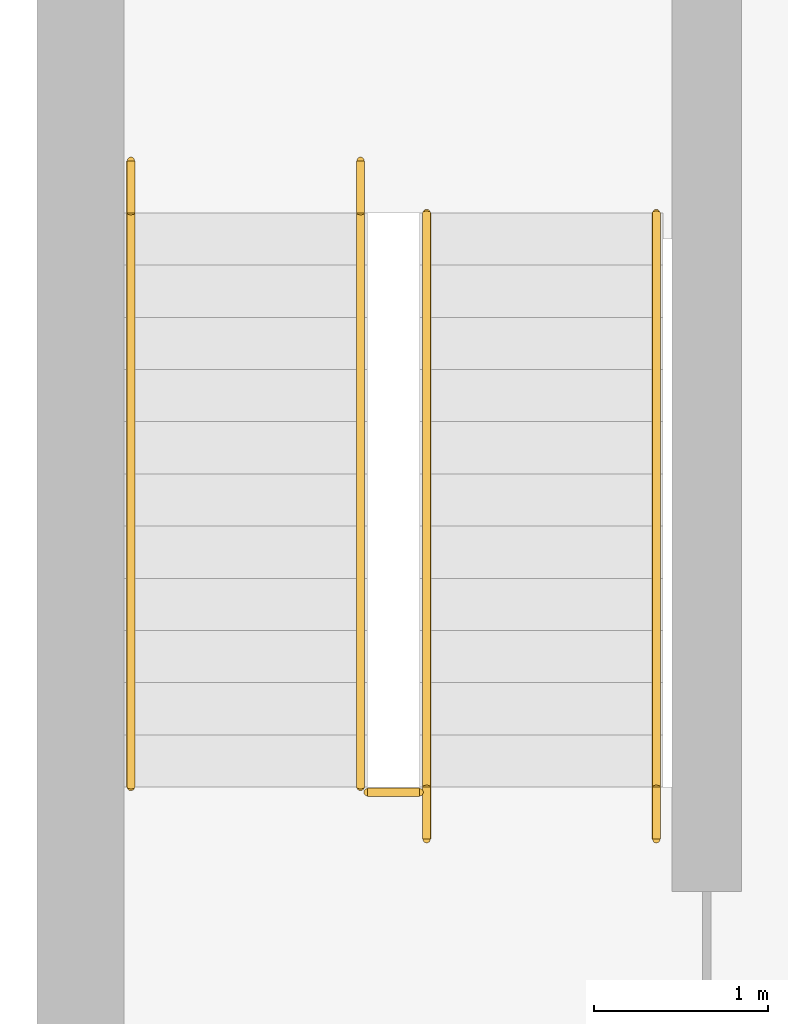
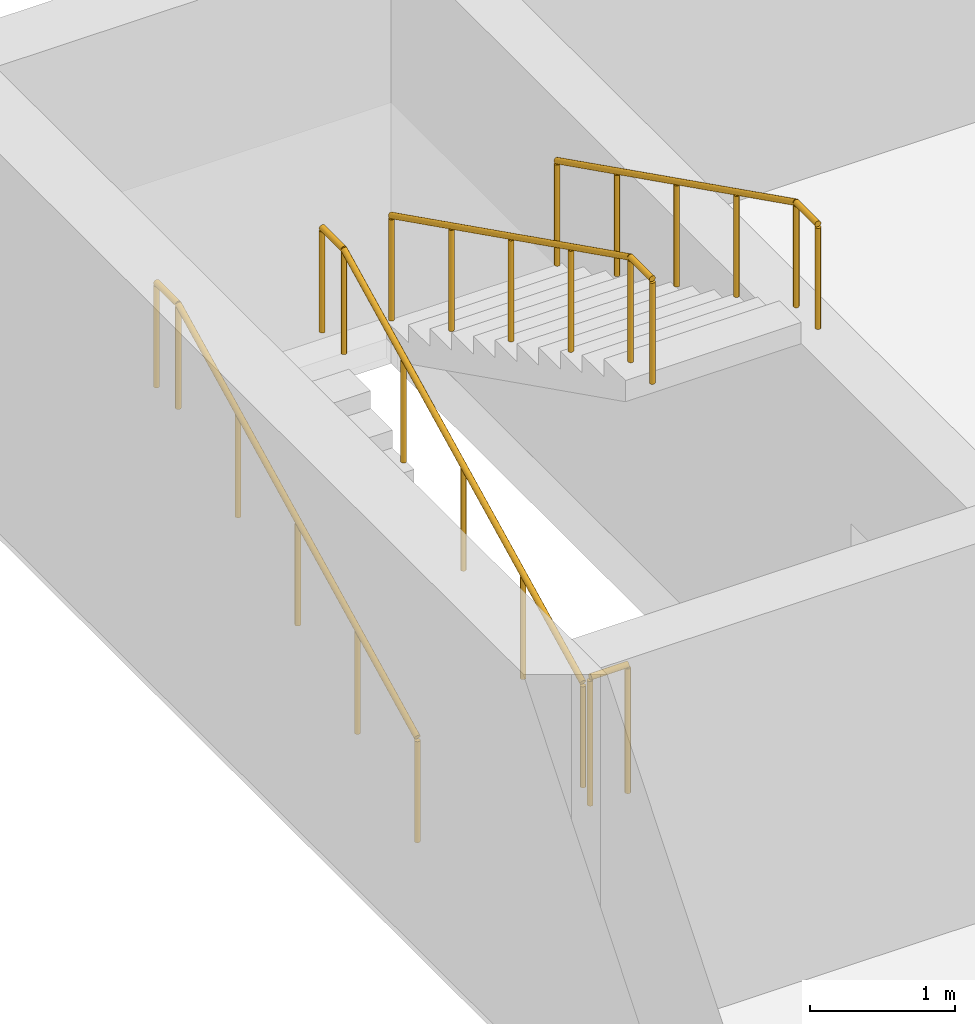
# One storey, part 8 of 12: 5 railings.
"""IFC4 building model written with IfcOpenShell, lengths in metres."""

from ifc_helpers import new_model, si_unit, direction, frame, origin, origin_2d, place, context, subcontext, project, spatial, circle, extrude, material, type_object, element, save


model = new_model("IFC4")

# Units and contexts
model_context = context("Model", 3, precision=1e-05, world=origin(), true_north=direction((0.0, 1.0)))
body_context = subcontext(model_context, "Body", "Model", "MODEL_VIEW")
ifc_project = project(units=[si_unit("LENGTHUNIT", "METRE"), si_unit("AREAUNIT", "SQUARE_METRE"), si_unit("VOLUMEUNIT", "CUBIC_METRE"), si_unit("PLANEANGLEUNIT", "RADIAN"), si_unit("MASSUNIT", "GRAM", prefix="KILO")], contexts=[model_context])

# Site, building, storey
site_placement = place(None, origin())
site = spatial("IfcSite", under=ifc_project, at=site_placement, CompositionType="ELEMENT")
building_placement = place(site_placement, origin())
building = spatial("IfcBuilding", under=site, at=building_placement, Name="Yavir Park General Hospital", CompositionType="ELEMENT")
storey_placement = place(building_placement, frame((0.0, 0.0, -11.39990234375)))
storey = spatial("IfcBuildingStorey", under=building, at=storey_placement, Name="B3", CompositionType="ELEMENT", Elevation=-11.39990234375)

# Railings
ifc_material_1 = material(Name="Steel balustrade with infill rods", Category="steel")
railing_type_1 = type_object("IfcRailingType", Name="Stair guard, steel balustrade 1100 mm", PredefinedType="GUARDRAIL", material=ifc_material_1)
railing_placement = place(storey_placement, frame((1.64990234375, 27.570068359375, 0.0)))
element("IfcRailing", 1, at=railing_placement, inside=storey, type_object=railing_type_1, Name="Stair well guard BS1 B3", PredefinedType="GUARDRAIL", context=body_context, shape_type="SweptSolid", body=[
    extrude(circle(Radius=0.02392578125, at=origin_2d()), frame((0.0, 0.0, 1.076171875), z_axis=(1.0, 0.0, 0.0), x_axis=(0.0, 1.0, 0.0)), (0.0, 0.0, 1.0), 0.300048828125),
    extrude(circle(Radius=0.02099609375, at=origin_2d()), origin(), (0.0, 0.0, 1.0), 1.052001953125),
    extrude(circle(Radius=0.02099609375, at=origin_2d()), frame((0.300048828125, 0.0, 0.0)), (0.0, 0.0, 1.0), 1.052001953125),
])
ifc_material_2 = material(Name="Stainless steel tube 48 mm", Category="steel")
railing_type_2 = type_object("IfcRailingType", Name="Stair handrail, steel tube, 900 mm above the nosings", PredefinedType="HANDRAIL", material=ifc_material_2)
for number, where, name in (
    (2, (0.2900390625, 27.60009765625, 0.14990234375), "Handrail BS1 B3 1"),
    (3, (1.610107421875, 27.60009765625, 0.14990234375), "Handrail BS1 B3 2"),
):
    element("IfcRailing", number, at=place(storey_placement, frame(where)), inside=storey, type_object=railing_type_2, Name=name, PredefinedType="HANDRAIL", context=body_context, shape_type="SweptSolid", body=[
        extrude(circle(Radius=0.02392578125, at=origin_2d()), frame((0.0, 0.0, 0.8759765625), z_axis=(0.0, 0.894427191, 0.4472135955), x_axis=(-1.0, 0.0, 0.0)), (0.0, 0.0, 1.0), 3.689208984375),
        extrude(circle(Radius=0.02392578125, at=origin_2d()), frame((0.0, 3.2998046875, 2.52587890625), z_axis=(0.0, 1.0, 0.0), x_axis=(-1.0, 0.0, 0.0)), (0.0, 0.0, 1.0), 0.300048828125),
        extrude(circle(Radius=0.02099609375, at=origin_2d()), origin(), (0.0, 0.0, 1.0), 0.851806640625),
        extrude(circle(Radius=0.02099609375, at=origin_2d()), frame((0.0, 0.824951171875, 0.41259765625)), (0.0, 0.0, 1.0), 0.851806640625),
        extrude(circle(Radius=0.02099609375, at=origin_2d()), frame((0.0, 1.64990234375, 0.824951171875)), (0.0, 0.0, 1.0), 0.851806640625),
        extrude(circle(Radius=0.02099609375, at=origin_2d()), frame((0.0, 2.474853515625, 1.2373046875)), (0.0, 0.0, 1.0), 0.851806640625),
        extrude(circle(Radius=0.02099609375, at=origin_2d()), frame((0.0, 3.2998046875, 1.64990234375)), (0.0, 0.0, 1.0), 0.851806640625),
        extrude(circle(Radius=0.02099609375, at=origin_2d()), frame((0.0, 3.599853515625, 1.64990234375)), (0.0, 0.0, 1.0), 0.851806640625),
    ])
for number, where, name in (
    (4, (3.31005859375, 30.89990234375, 1.949951171875), "Handrail BS1 B3 3"),
    (5, (1.989990234375, 30.89990234375, 1.949951171875), "Handrail BS1 B3 4"),
):
    element("IfcRailing", number, at=place(storey_placement, frame(where)), inside=storey, type_object=railing_type_2, Name=name, PredefinedType="HANDRAIL", context=body_context, shape_type="SweptSolid", body=[
        extrude(circle(Radius=0.02392578125, at=origin_2d()), frame((0.0, 0.0, 0.8759765625), z_axis=(0.0, -0.894427191, 0.4472135955), x_axis=(1.0, 0.0, 0.0)), (0.0, 0.0, 1.0), 3.689208984375),
        extrude(circle(Radius=0.02392578125, at=origin_2d()), frame((0.0, -3.2998046875, 2.52587890625), z_axis=(0.0, -1.0, 0.0), x_axis=(1.0, 0.0, 0.0)), (0.0, 0.0, 1.0), 0.300048828125),
        extrude(circle(Radius=0.02099609375, at=origin_2d()), origin(), (0.0, 0.0, 1.0), 0.851806640625),
        extrude(circle(Radius=0.02099609375, at=origin_2d()), frame((0.0, -0.824951171875, 0.41259765625)), (0.0, 0.0, 1.0), 0.851806640625),
        extrude(circle(Radius=0.02099609375, at=origin_2d()), frame((0.0, -1.64990234375, 0.824951171875)), (0.0, 0.0, 1.0), 0.851806640625),
        extrude(circle(Radius=0.02099609375, at=origin_2d()), frame((0.0, -2.474853515625, 1.2373046875)), (0.0, 0.0, 1.0), 0.851806640625),
        extrude(circle(Radius=0.02099609375, at=origin_2d()), frame((0.0, -3.2998046875, 1.64990234375)), (0.0, 0.0, 1.0), 0.851806640625),
        extrude(circle(Radius=0.02099609375, at=origin_2d()), frame((0.0, -3.599853515625, 1.64990234375)), (0.0, 0.0, 1.0), 0.851806640625),
    ])

save(model, "model.ifc")
